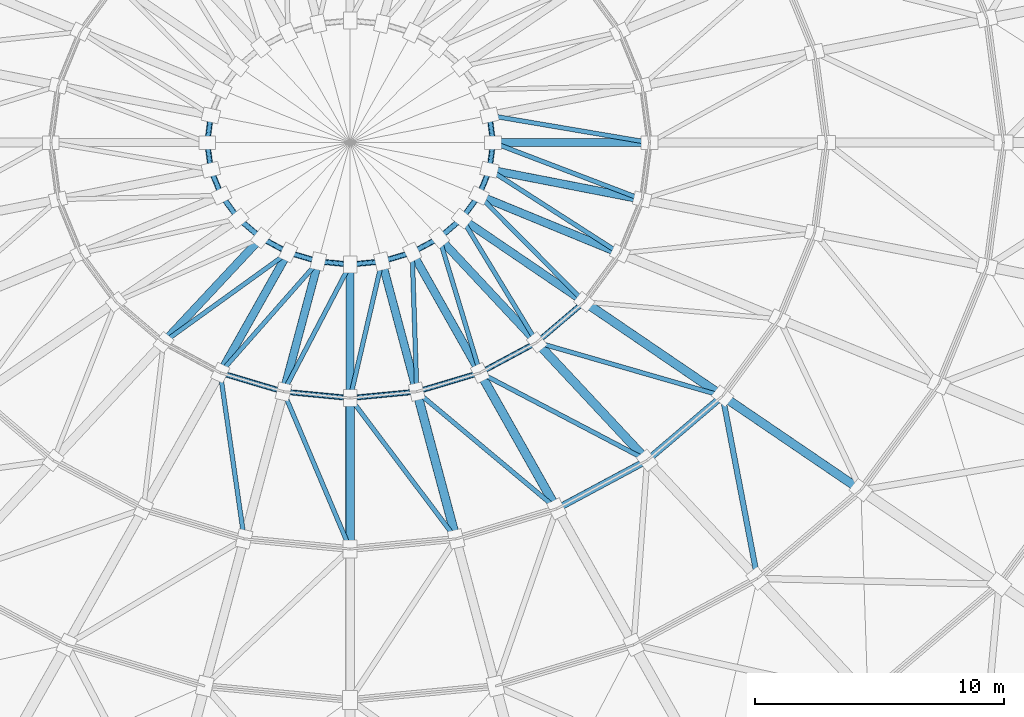
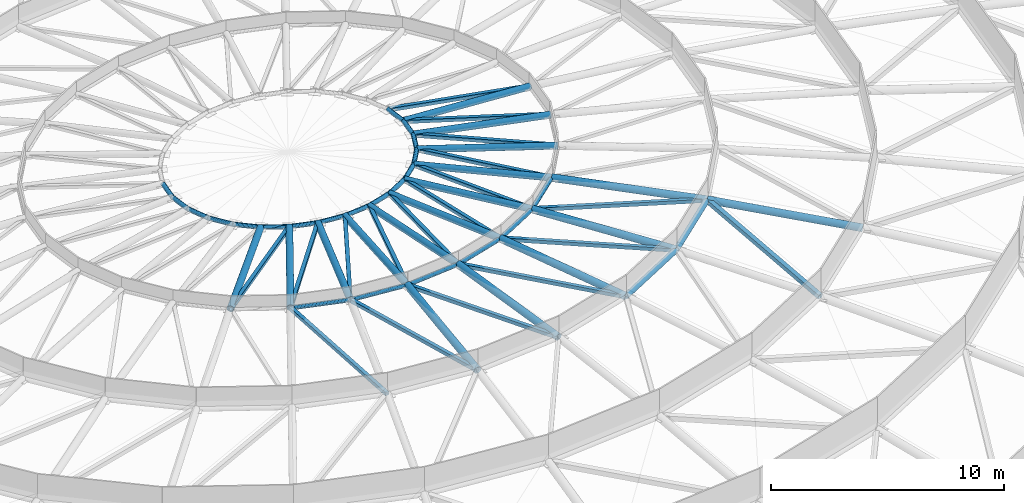
# One storey, part 10 of 27: 59 members.
"""IFC4 building model written with IfcOpenShell, lengths in metres."""

from ifc_helpers import new_model, si_unit, direction, frame, origin, origin_2d, place, context, subcontext, project, spatial, hollow_rectangle, hollow_circle, extrude, material, material_profile, profile_set, type_object, element, save


model = new_model("IFC4")

# Units and contexts
model_context = context("Model", 3, precision=1e-05, world=origin(), true_north=direction((0.0, 1.0)))
body_context = subcontext(model_context, "Body", "Model", "MODEL_VIEW")
ifc_project = project(units=[si_unit("LENGTHUNIT", "METRE"), si_unit("AREAUNIT", "SQUARE_METRE"), si_unit("VOLUMEUNIT", "CUBIC_METRE"), si_unit("PLANEANGLEUNIT", "RADIAN"), si_unit("MASSUNIT", "GRAM", prefix="KILO")], contexts=[model_context])

# Site, building, storey
site_placement = place(None, origin())
site = spatial("IfcSite", under=ifc_project, at=site_placement, CompositionType="ELEMENT")
building_placement = place(site_placement, origin())
building = spatial("IfcBuilding", under=site, at=building_placement, Name="Cuetzalor Civic Arena", CompositionType="ELEMENT")
storey_placement = place(building_placement, frame((0.0, 0.0, 31.800048828125)))
storey = spatial("IfcBuildingStorey", under=building, at=storey_placement, Name="Roof", CompositionType="ELEMENT", Elevation=31.800048828125)

# Members
ifc_material_1 = material(Name="Steel S355J2H", Category="steel")
ifc_material_profile_1 = material_profile(ifc_material_1, hollow_circle(Radius=0.136474609375, WallThickness=0.010009765625, at=origin_2d()), Name="CHS 273x10")
ifc_profile_set_1 = profile_set([ifc_material_profile_1], Name="Steel S355J2H")
member_type_1 = type_object("IfcMemberType", Name="DomeAnnularChord_CHS273", PredefinedType="CHORD", material=ifc_profile_set_1)
member_1_placement = place(storey_placement, frame((8.28564453125, -14.677978515625, 8.21044921875), z_axis=(0.881319827537, 0.472520223472, 0.0), x_axis=(-0.472520223472, 0.881319827537, 0.0)))
element("IfcMember", 1, at=member_1_placement, inside=storey, type_object=member_type_1, Name="Dome Roof Truss Annular Ring Chord R5-S24", PredefinedType="CHORD", context=body_context, shape_type="SweptSolid", body=[
    extrude(hollow_circle(Radius=0.136474609375, WallThickness=0.010009765625, at=origin_2d()), origin(), (0.0, 0.0, 1.0), 4.103515625),
])
member_2_placement = place(storey_placement, frame((11.905517578125, -12.73681640625, 8.21044921875), z_axis=(0.760648184235, 0.649164339609, 0.0), x_axis=(-0.649164339609, 0.760648184235, 0.0)))
element("IfcMember", 2, at=member_2_placement, inside=storey, type_object=member_type_1, Name="Dome Roof Truss Annular Ring Chord R5-S25", PredefinedType="CHORD", context=body_context, shape_type="SweptSolid", body=[
    extrude(hollow_circle(Radius=0.136474609375, WallThickness=0.010009765625, at=origin_2d()), origin(), (0.0, 0.0, 1.0), 3.97021484375),
])
ifc_material_2 = material(Name="Steel S355J2H", Category="steel")
ifc_material_profile_2 = material_profile(ifc_material_2, hollow_circle(Radius=0.161865234375, WallThickness=0.012451171875, at=origin_2d()), Name="CHS 323.9x12.5")
ifc_profile_set_2 = profile_set([ifc_material_profile_2], Name="Steel S355J2H")
member_type_2 = type_object("IfcMemberType", Name="DomeAnnularChord_CHS323", PredefinedType="CHORD", material=ifc_profile_set_2)
member_3_placement = place(storey_placement, frame((11.9990234375, 0.0, 9.02099609375), z_axis=(-0.998178582881, 0.0, 0.060328406894), x_axis=(0.0, -1.0, 0.0)))
element("IfcMember", 3, at=member_3_placement, inside=storey, type_object=member_type_2, Name="Dome Roof Truss Radial Chord R7-S01", PredefinedType="CHORD", context=body_context, shape_type="SweptSolid", body=[
    extrude(hollow_circle(Radius=0.161865234375, WallThickness=0.012451171875, at=origin_2d()), origin(), (0.0, 0.0, 1.0), 6.28076171875),
])
member_4_placement = place(storey_placement, frame((-7.481201171875, -8.005126953125, 9.02099609375), z_axis=(0.681328597073, 0.728991809361, 0.06604759417), x_axis=(-0.730587065389, 0.682819551482, 0.0)))
element("IfcMember", 4, at=member_4_placement, inside=storey, type_object=member_type_2, Name="Dome Roof Truss Radial Chord R7-S19", PredefinedType="CHORD", context=body_context, shape_type="SweptSolid", body=[
    extrude(hollow_circle(Radius=0.161865234375, WallThickness=0.012451171875, at=origin_2d()), origin(), (0.0, 0.0, 1.0), 5.73681640625),
])
member_5_placement = place(storey_placement, frame((-5.2060546875, -9.22509765625, 9.02099609375), z_axis=(0.490342266255, 0.868848997231, 0.068307261218), x_axis=(-0.870883091558, 0.49149022456, 0.0)))
element("IfcMember", 5, at=member_5_placement, inside=storey, type_object=member_type_2, Name="Dome Roof Truss Radial Chord R7-S20", PredefinedType="CHORD", context=body_context, shape_type="SweptSolid", body=[
    extrude(hollow_circle(Radius=0.161865234375, WallThickness=0.012451171875, at=origin_2d()), origin(), (0.0, 0.0, 1.0), 5.547119140625),
])
member_6_placement = place(storey_placement, frame((-2.669921875, -9.982421875, 9.02099609375), z_axis=(0.257765929153, 0.963667444623, 0.070012726994), x_axis=(-0.966038007015, 0.258400017418, 0.0)))
element("IfcMember", 6, at=member_6_placement, inside=storey, type_object=member_type_2, Name="Dome Roof Truss Radial Chord R7-S21", PredefinedType="CHORD", context=body_context, shape_type="SweptSolid", body=[
    extrude(hollow_circle(Radius=0.161865234375, WallThickness=0.012451171875, at=origin_2d()), origin(), (0.0, 0.0, 1.0), 5.411865234375),
])
member_7_placement = place(storey_placement, frame((0.0, -10.239013671875, 9.02099609375), z_axis=(0.0, 0.997500813947, 0.070654979839), x_axis=(-1.0, 0.0, 0.0)))
element("IfcMember", 7, at=member_7_placement, inside=storey, type_object=member_type_2, Name="Dome Roof Truss Radial Chord R7-S22", PredefinedType="CHORD", context=body_context, shape_type="SweptSolid", body=[
    extrude(hollow_circle(Radius=0.161865234375, WallThickness=0.012451171875, at=origin_2d()), origin(), (0.0, 0.0, 1.0), 5.36279296875),
])
member_8_placement = place(storey_placement, frame((2.669921875, -9.982421875, 9.02099609375), z_axis=(-0.257765929153, 0.963667444623, 0.070012726994), x_axis=(-0.966038007015, -0.258400017418, 0.0)))
element("IfcMember", 8, at=member_8_placement, inside=storey, type_object=member_type_2, Name="Dome Roof Truss Radial Chord R7-S23", PredefinedType="CHORD", context=body_context, shape_type="SweptSolid", body=[
    extrude(hollow_circle(Radius=0.161865234375, WallThickness=0.012451171875, at=origin_2d()), origin(), (0.0, 0.0, 1.0), 5.411865234375),
])
member_9_placement = place(storey_placement, frame((5.2060546875, -9.22509765625, 9.02099609375), z_axis=(-0.490342266255, 0.868848997231, 0.068307261218), x_axis=(-0.870883091558, -0.49149022456, 0.0)))
element("IfcMember", 9, at=member_9_placement, inside=storey, type_object=member_type_2, Name="Dome Roof Truss Radial Chord R7-S24", PredefinedType="CHORD", context=body_context, shape_type="SweptSolid", body=[
    extrude(hollow_circle(Radius=0.161865234375, WallThickness=0.012451171875, at=origin_2d()), origin(), (0.0, 0.0, 1.0), 5.547119140625),
])
member_10_placement = place(storey_placement, frame((7.481201171875, -8.005126953125, 9.02099609375), z_axis=(-0.681328597073, 0.728991809361, 0.06604759417), x_axis=(-0.730587065389, -0.682819551482, 0.0)))
element("IfcMember", 10, at=member_10_placement, inside=storey, type_object=member_type_2, Name="Dome Roof Truss Radial Chord R7-S25", PredefinedType="CHORD", context=body_context, shape_type="SweptSolid", body=[
    extrude(hollow_circle(Radius=0.161865234375, WallThickness=0.012451171875, at=origin_2d()), origin(), (0.0, 0.0, 1.0), 5.73681640625),
])
member_11_placement = place(storey_placement, frame((9.381103515625, -6.384033203125, 9.02099609375), z_axis=(-0.825045545792, 0.561455083015, 0.063781165923), x_axis=(-0.562600589235, -0.826728841273, 0.0)))
element("IfcMember", 11, at=member_11_placement, inside=storey, type_object=member_type_2, Name="Dome Roof Truss Radial Chord R7-S26", PredefinedType="CHORD", context=body_context, shape_type="SweptSolid", body=[
    extrude(hollow_circle(Radius=0.161865234375, WallThickness=0.012451171875, at=origin_2d()), origin(), (0.0, 0.0, 1.0), 5.940673828125),
])
member_12_placement = place(storey_placement, frame((10.810791015625, -4.442626953125, 9.02099609375), z_axis=(-0.923178215261, 0.379350591826, 0.061928275851), x_axis=(-0.380080116735, -0.924953569031, 0.0)))
element("IfcMember", 12, at=member_12_placement, inside=storey, type_object=member_type_2, Name="Dome Roof Truss Radial Chord R7-S27", PredefinedType="CHORD", context=body_context, shape_type="SweptSolid", body=[
    extrude(hollow_circle(Radius=0.161865234375, WallThickness=0.012451171875, at=origin_2d()), origin(), (0.0, 0.0, 1.0), 6.118408203125),
])
member_13_placement = place(storey_placement, frame((11.697998046875, -2.2783203125, 9.02099609375), z_axis=(-0.979742221128, 0.190829394832, 0.060739790972), x_axis=(-0.191182387422, -0.981554529682, 0.0)))
element("IfcMember", 13, at=member_13_placement, inside=storey, type_object=member_type_2, Name="Dome Roof Truss Radial Chord R7-S28", PredefinedType="CHORD", context=body_context, shape_type="SweptSolid", body=[
    extrude(hollow_circle(Radius=0.161865234375, WallThickness=0.012451171875, at=origin_2d()), origin(), (0.0, 0.0, 1.0), 6.23828125),
])
ifc_material_3 = material(Name="Steel S355J2H", Category="steel")
ifc_material_profile_3 = material_profile(ifc_material_3, hollow_rectangle(XDim=0.179931640625, YDim=0.179931640625, WallThickness=0.010009765625, at=origin_2d()), Name="RHS 180x180x10")
ifc_profile_set_3 = profile_set([ifc_material_profile_3], Name="Steel S355J2H")
member_type_3 = type_object("IfcMemberType", Name="DomeLamellaStrut_RHS180", PredefinedType="STRUT", material=ifc_profile_set_3)
member_14_placement = place(storey_placement, frame((-4.248779296875, -15.882080078125, 8.21044921875), z_axis=(-0.141495235587, 0.982677920543, 0.119679583821), x_axis=(-0.989791982093, -0.142519585268, 0.0)))
element("IfcMember", 14, at=member_14_placement, inside=storey, type_object=member_type_3, Name="Dome Roof Truss Lamella Strut R6-S21", PredefinedType="STRUT", context=body_context, shape_type="SweptSolid", body=[
    extrude(hollow_rectangle(XDim=0.179931640625, YDim=0.179931640625, WallThickness=0.010009765625, at=origin_2d()), origin(), (0.0, 0.0, 1.0), 6.7705078125),
])
member_15_placement = place(storey_placement, frame((-0.000732421875, -16.290771484375, 8.21044921875), z_axis=(-0.387133355723, 0.914501626252, 0.117535273294), x_axis=(-0.920884545601, -0.3898354187, 0.0)))
element("IfcMember", 15, at=member_15_placement, inside=storey, type_object=member_type_3, Name="Dome Roof Truss Lamella Strut R6-S22", PredefinedType="STRUT", context=body_context, shape_type="SweptSolid", body=[
    extrude(hollow_rectangle(XDim=0.179931640625, YDim=0.179931640625, WallThickness=0.010009765625, at=origin_2d()), origin(), (0.0, 0.0, 1.0), 6.89404296875),
])
member_16_placement = place(storey_placement, frame((4.247314453125, -15.88232421875, 8.21044921875), z_axis=(-0.59755829928, 0.793675064016, 0.114034958332), x_axis=(-0.798886409643, -0.601481923658, 0.0)))
element("IfcMember", 16, at=member_16_placement, inside=storey, type_object=member_type_3, Name="Dome Roof Truss Lamella Strut R6-S23", PredefinedType="STRUT", context=body_context, shape_type="SweptSolid", body=[
    extrude(hollow_rectangle(XDim=0.179931640625, YDim=0.179931640625, WallThickness=0.010009765625, at=origin_2d()), origin(), (0.0, 0.0, 1.0), 7.105712890625),
])
member_17_placement = place(storey_placement, frame((8.282470703125, -14.677734375, 8.21044921875), z_axis=(-0.76242241528, 0.637641270638, 0.11011662299), x_axis=(-0.64154270133, -0.767087323823, 0.0)))
element("IfcMember", 17, at=member_17_placement, inside=storey, type_object=member_type_3, Name="Dome Roof Truss Lamella Strut R6-S24", PredefinedType="STRUT", context=body_context, shape_type="SweptSolid", body=[
    extrude(hollow_rectangle(XDim=0.179931640625, YDim=0.179931640625, WallThickness=0.010009765625, at=origin_2d()), origin(), (0.0, 0.0, 1.0), 7.358642578125),
])
member_18_placement = place(storey_placement, frame((11.902099609375, -12.737060546875, 8.21044921875), z_axis=(-0.880608544013, 0.461696352919, 0.106607081908), x_axis=(-0.464342535607, -0.88565569474, 0.0)))
element("IfcMember", 18, at=member_18_placement, inside=storey, type_object=member_type_3, Name="Dome Roof Truss Lamella Strut R6-S25", PredefinedType="STRUT", context=body_context, shape_type="SweptSolid", body=[
    extrude(hollow_rectangle(XDim=0.179931640625, YDim=0.179931640625, WallThickness=0.010009765625, at=origin_2d()), origin(), (0.0, 0.0, 1.0), 7.600830078125),
])
member_19_placement = place(storey_placement, frame((14.92529296875, -10.15771484375, 8.21044921875), z_axis=(-0.955472441821, 0.276127084046, 0.104049249767), x_axis=(-0.277634041083, -0.960686910097, 0.0)))
element("IfcMember", 19, at=member_19_placement, inside=storey, type_object=member_type_3, Name="Dome Roof Truss Lamella Strut R6-S26", PredefinedType="STRUT", context=body_context, shape_type="SweptSolid", body=[
    extrude(hollow_rectangle(XDim=0.179931640625, YDim=0.179931640625, WallThickness=0.010009765625, at=origin_2d()), origin(), (0.0, 0.0, 1.0), 7.78759765625),
])
member_20_placement = place(storey_placement, frame((11.9990234375, 0.000244140625, 9.02099609375), z_axis=(-0.984263912241, 0.166860593186, 0.058155769285), x_axis=(-0.167143480015, -0.985932582426, 0.0)))
element("IfcMember", 20, at=member_20_placement, inside=storey, type_object=member_type_3, Name="Dome Roof Truss Lamella Strut R7-S01", PredefinedType="STRUT", context=body_context, shape_type="SweptSolid", body=[
    extrude(hollow_rectangle(XDim=0.179931640625, YDim=0.179931640625, WallThickness=0.010009765625, at=origin_2d()), origin(), (0.0, 0.0, 1.0), 6.515380859375),
])
member_21_placement = place(storey_placement, frame((-7.48095703125, -8.005615234375, 9.02099609375), z_axis=(0.809613608428, 0.583740277215, 0.061425514288), x_axis=(-0.584844656807, 0.811145318303, 0.0)))
element("IfcMember", 21, at=member_21_placement, inside=storey, type_object=member_type_3, Name="Dome Roof Truss Lamella Strut R7-S19", PredefinedType="STRUT", context=body_context, shape_type="SweptSolid", body=[
    extrude(hollow_rectangle(XDim=0.179931640625, YDim=0.179931640625, WallThickness=0.010009765625, at=origin_2d()), origin(), (0.0, 0.0, 1.0), 6.16845703125),
])
member_22_placement = place(storey_placement, frame((-5.205810546875, -9.225341796875, 9.02099609375), z_axis=(0.659879789367, 0.748672708778, 0.06362262739), x_axis=(-0.750192577664, 0.66121940112, 0.0)))
element("IfcMember", 22, at=member_22_placement, inside=storey, type_object=member_type_3, Name="Dome Roof Truss Lamella Strut R7-S20", PredefinedType="STRUT", context=body_context, shape_type="SweptSolid", body=[
    extrude(hollow_rectangle(XDim=0.179931640625, YDim=0.179931640625, WallThickness=0.010009765625, at=origin_2d()), origin(), (0.0, 0.0, 1.0), 5.95556640625),
])
member_23_placement = place(storey_placement, frame((-2.669677734375, -9.982421875, 9.02099609375), z_axis=(0.463129413067, 0.883848018112, 0.065755818231), x_axis=(-0.885765040253, 0.464133917598, 0.0)))
element("IfcMember", 23, at=member_23_placement, inside=storey, type_object=member_type_3, Name="Dome Roof Truss Lamella Strut R7-S21", PredefinedType="STRUT", context=body_context, shape_type="SweptSolid", body=[
    extrude(hollow_rectangle(XDim=0.179931640625, YDim=0.179931640625, WallThickness=0.010009765625, at=origin_2d()), origin(), (0.0, 0.0, 1.0), 5.76220703125),
])
member_24_placement = place(storey_placement, frame((0.00048828125, -10.239013671875, 9.02099609375), z_axis=(0.226151222342, 0.971765212105, 0.067290394378), x_axis=(-0.973972786928, 0.226664973748, 0.0)))
element("IfcMember", 24, at=member_24_placement, inside=storey, type_object=member_type_3, Name="Dome Roof Truss Lamella Strut R7-S22", PredefinedType="STRUT", context=body_context, shape_type="SweptSolid", body=[
    extrude(hollow_rectangle(XDim=0.179931640625, YDim=0.179931640625, WallThickness=0.010009765625, at=origin_2d()), origin(), (0.0, 0.0, 1.0), 5.630859375),
])
member_25_placement = place(storey_placement, frame((2.67041015625, -9.982177734375, 9.02099609375), z_axis=(-0.033091460055, 0.997153085912, 0.067754546182), x_axis=(-0.999449801185, -0.033167678705, 0.0)))
element("IfcMember", 25, at=member_25_placement, inside=storey, type_object=member_type_3, Name="Dome Roof Truss Lamella Strut R7-S23", PredefinedType="STRUT", context=body_context, shape_type="SweptSolid", body=[
    extrude(hollow_rectangle(XDim=0.179931640625, YDim=0.179931640625, WallThickness=0.010009765625, at=origin_2d()), origin(), (0.0, 0.0, 1.0), 5.59228515625),
])
member_26_placement = place(storey_placement, frame((5.206298828125, -9.224853515625, 9.02099609375), z_axis=(-0.288978561756, 0.954988899008, 0.066989503786), x_axis=(-0.957138939144, -0.289629161472, 0.0)))
element("IfcMember", 26, at=member_26_placement, inside=storey, type_object=member_type_3, Name="Dome Roof Truss Lamella Strut R7-S24", PredefinedType="STRUT", context=body_context, shape_type="SweptSolid", body=[
    extrude(hollow_rectangle(XDim=0.179931640625, YDim=0.179931640625, WallThickness=0.010009765625, at=origin_2d()), origin(), (0.0, 0.0, 1.0), 5.65625),
])
member_27_placement = place(storey_placement, frame((7.4814453125, -8.0048828125, 9.02099609375), z_axis=(-0.517079597539, 0.853446224658, 0.065255125661), x_axis=(-0.855269134274, -0.518184048345, 0.0)))
element("IfcMember", 27, at=member_27_placement, inside=storey, type_object=member_type_3, Name="Dome Roof Truss Lamella Strut R7-S25", PredefinedType="STRUT", context=body_context, shape_type="SweptSolid", body=[
    extrude(hollow_rectangle(XDim=0.179931640625, YDim=0.179931640625, WallThickness=0.010009765625, at=origin_2d()), origin(), (0.0, 0.0, 1.0), 5.806640625),
])
member_28_placement = place(storey_placement, frame((9.38134765625, -6.3837890625, 9.02099609375), z_axis=(-0.702176593417, 0.709205266139, 0.063054913671), x_axis=(-0.710619356734, -0.703576669479, 0.0)))
element("IfcMember", 28, at=member_28_placement, inside=storey, type_object=member_type_3, Name="Dome Roof Truss Lamella Strut R7-S26", PredefinedType="STRUT", context=body_context, shape_type="SweptSolid", body=[
    extrude(hollow_rectangle(XDim=0.179931640625, YDim=0.179931640625, WallThickness=0.010009765625, at=origin_2d()), origin(), (0.0, 0.0, 1.0), 6.009033203125),
])
member_29_placement = place(storey_placement, frame((10.810791015625, -4.4423828125, 9.02099609375), z_axis=(-0.839998786918, 0.539158178483, 0.060913845309), x_axis=(-0.540161243029, -0.841561543518, 0.0)))
element("IfcMember", 29, at=member_29_placement, inside=storey, type_object=member_type_3, Name="Dome Roof Truss Lamella Strut R7-S27", PredefinedType="STRUT", context=body_context, shape_type="SweptSolid", body=[
    extrude(hollow_rectangle(XDim=0.179931640625, YDim=0.179931640625, WallThickness=0.010009765625, at=origin_2d()), origin(), (0.0, 0.0, 1.0), 6.220458984375),
])
member_30_placement = place(storey_placement, frame((11.6982421875, -2.278076171875, 9.02099609375), z_axis=(-0.932664538454, 0.355853027434, 0.05920710748), x_axis=(-0.356478390179, -0.934303568085, 0.0)))
element("IfcMember", 30, at=member_30_placement, inside=storey, type_object=member_type_3, Name="Dome Roof Truss Lamella Strut R7-S28", PredefinedType="STRUT", context=body_context, shape_type="SweptSolid", body=[
    extrude(hollow_rectangle(XDim=0.179931640625, YDim=0.179931640625, WallThickness=0.010009765625, at=origin_2d()), origin(), (0.0, 0.0, 1.0), 6.399658203125),
])
ifc_material_4 = material(Name="Steel S355J2H", Category="steel")
ifc_material_profile_4 = material_profile(ifc_material_4, hollow_rectangle(XDim=0.219970703125, YDim=0.219970703125, WallThickness=0.010009765625, at=origin_2d()), Name="RHS 220x220x10")
ifc_profile_set_4 = profile_set([ifc_material_profile_4], Name="Steel S355J2H")
member_type_4 = type_object("IfcMemberType", Name="DomeLamellaStrut_RHS220", PredefinedType="STRUT", material=ifc_profile_set_4)
member_31_placement = place(storey_placement, frame((16.3251953125, -17.46728515625, 7.07763671875), z_axis=(-0.185734576079, 0.971010630926, 0.150469338665), x_axis=(-0.982193218693, -0.187873577582, 0.0)))
element("IfcMember", 31, at=member_31_placement, inside=storey, type_object=member_type_4, Name="Dome Roof Truss Lamella Strut R5-S25", PredefinedType="STRUT", context=body_context, shape_type="SweptSolid", body=[
    extrude(hollow_rectangle(XDim=0.219970703125, YDim=0.219970703125, WallThickness=0.010009765625, at=origin_2d()), origin(), (0.0, 0.0, 1.0), 7.525390625),
])
ifc_material_5 = material(Name="Steel S355J2H", Category="steel")
ifc_material_profile_5 = material_profile(ifc_material_5, hollow_circle(Radius=0.109619140625, WallThickness=0.010009765625, at=origin_2d()), Name="CHS 219.1x10")
ifc_profile_set_5 = profile_set([ifc_material_profile_5], Name="Steel S355J2H")
member_type_5 = type_object("IfcMemberType", Name="DomeLanternRing_CHS219", PredefinedType="CHORD", material=ifc_profile_set_5)
member_32_placement = place(storey_placement, frame((-5.205078125, -9.227294921875, 9.020751953125), z_axis=(0.958186512541, -0.286144381709, 0.0), x_axis=(0.286144381709, 0.958186512541, 0.0)))
element("IfcMember", 32, at=member_32_placement, inside=storey, type_object=member_type_5, Name="Dome Roof Truss Annular Ring Chord R6-S20", PredefinedType="CHORD", context=body_context, shape_type="SweptSolid", body=[
    extrude(hollow_circle(Radius=0.109619140625, WallThickness=0.010009765625, at=origin_2d()), origin(), (0.0, 0.0, 1.0), 2.643310546875),
])
for number, where, z_axis, x_axis, name in (
    (33, (-2.66845703125, -9.984375, 9.020751953125), (0.995410698757, -0.095695040624, 0.0), (0.095695040624, 0.995410698757, 0.0), "Dome Roof Truss Annular Ring Chord R6-S21"),
    (34, (0.001953125, -10.24072265625, 9.020751953125), (0.995410698757, 0.095695040624, 0.0), (-0.095695040624, 0.995410698757, 0.0), "Dome Roof Truss Annular Ring Chord R6-S22"),
):
    element("IfcMember", number, at=place(storey_placement, frame(where, z_axis=z_axis, x_axis=x_axis)), inside=storey, type_object=member_type_5, Name=name, PredefinedType="CHORD", context=body_context, shape_type="SweptSolid", body=[
        extrude(hollow_circle(Radius=0.109619140625, WallThickness=0.010009765625, at=origin_2d()), origin(), (0.0, 0.0, 1.0), 2.6787109375),
    ])
member_33_placement = place(storey_placement, frame((2.67236328125, -9.983642578125, 9.020751953125), z_axis=(0.958186512541, 0.286144381709, 0.0), x_axis=(-0.286144381709, 0.958186512541, 0.0)))
element("IfcMember", 35, at=member_33_placement, inside=storey, type_object=member_type_5, Name="Dome Roof Truss Annular Ring Chord R6-S23", PredefinedType="CHORD", context=body_context, shape_type="SweptSolid", body=[
    extrude(hollow_circle(Radius=0.109619140625, WallThickness=0.010009765625, at=origin_2d()), origin(), (0.0, 0.0, 1.0), 2.643310546875),
])
member_34_placement = place(storey_placement, frame((5.208740234375, -9.225830078125, 9.020751953125), z_axis=(0.881296882104, 0.472563017591, 0.0), x_axis=(-0.472563017591, 0.881296882104, 0.0)))
element("IfcMember", 36, at=member_34_placement, inside=storey, type_object=member_type_5, Name="Dome Roof Truss Annular Ring Chord R6-S24", PredefinedType="CHORD", context=body_context, shape_type="SweptSolid", body=[
    extrude(hollow_circle(Radius=0.109619140625, WallThickness=0.010009765625, at=origin_2d()), origin(), (0.0, 0.0, 1.0), 2.577880859375),
])
member_35_placement = place(storey_placement, frame((7.48388671875, -8.00537109375, 9.020751953125), z_axis=(0.760740130063, 0.649056588066, 0.0), x_axis=(-0.649056588066, 0.760740130063, 0.0)))
element("IfcMember", 37, at=member_35_placement, inside=storey, type_object=member_type_5, Name="Dome Roof Truss Annular Ring Chord R6-S25", PredefinedType="CHORD", context=body_context, shape_type="SweptSolid", body=[
    extrude(hollow_circle(Radius=0.109619140625, WallThickness=0.010009765625, at=origin_2d()), origin(), (0.0, 0.0, 1.0), 2.494140625),
])
for number, where, z_axis, x_axis, name in (
    (38, (5.727294921875, 0.001953125, 9.39990234375), (-0.130656721304, 0.991427668152, 0.0), (-0.991427668152, -0.130656721304, 0.0), "Dome Roof Truss Annular Ring Chord R7-S01"),
    (39, (-5.58447265625, 1.085693359375, 9.39990234375), (-0.130656721304, -0.991427668152, 0.0), (0.991427668152, -0.130656721304, 0.0), "Dome Roof Truss Annular Ring Chord R7-S14"),
    (40, (-5.727294921875, -0.001953125, 9.39990234375), (0.130656721304, -0.991427668152, 0.0), (0.991427668152, 0.130656721304, 0.0), "Dome Roof Truss Annular Ring Chord R7-S15"),
):
    element("IfcMember", number, at=place(storey_placement, frame(where, z_axis=z_axis, x_axis=x_axis)), inside=storey, type_object=member_type_5, Name=name, PredefinedType="CHORD", context=body_context, shape_type="SweptSolid", body=[
        extrude(hollow_circle(Radius=0.109619140625, WallThickness=0.010009765625, at=origin_2d()), origin(), (0.0, 0.0, 1.0), 1.093017578125),
    ])
member_36_placement = place(storey_placement, frame((-5.583251953125, -1.089599609375, 9.39990234375), z_axis=(0.379248061266, -0.925295038367, 0.0), x_axis=(0.925295038367, 0.379248061266, 0.0)))
element("IfcMember", 41, at=member_36_placement, inside=storey, type_object=member_type_5, Name="Dome Roof Truss Annular Ring Chord R7-S16", PredefinedType="CHORD", context=body_context, shape_type="SweptSolid", body=[
    extrude(hollow_circle(Radius=0.109619140625, WallThickness=0.010009765625, at=origin_2d()), origin(), (0.0, 0.0, 1.0), 1.1123046875),
])
member_37_placement = place(storey_placement, frame((-5.1591796875, -2.122314453125, 9.39990234375), z_axis=(0.592857696346, -0.805307240675, 0.0), x_axis=(0.805307240675, 0.592857696346, 0.0)))
element("IfcMember", 42, at=member_37_placement, inside=storey, type_object=member_type_5, Name="Dome Roof Truss Annular Ring Chord R7-S17", PredefinedType="CHORD", context=body_context, shape_type="SweptSolid", body=[
    extrude(hollow_circle(Radius=0.109619140625, WallThickness=0.010009765625, at=origin_2d()), origin(), (0.0, 0.0, 1.0), 1.14697265625),
])
member_38_placement = place(storey_placement, frame((-4.4765625, -3.048828125, 9.39990234375), z_axis=(0.760690703799, -0.649114514668, 0.0), x_axis=(0.649114514668, 0.760690703799, 0.0)))
element("IfcMember", 43, at=member_38_placement, inside=storey, type_object=member_type_5, Name="Dome Roof Truss Annular Ring Chord R7-S18", PredefinedType="CHORD", context=body_context, shape_type="SweptSolid", body=[
    extrude(hollow_circle(Radius=0.109619140625, WallThickness=0.010009765625, at=origin_2d()), origin(), (0.0, 0.0, 1.0), 1.188232421875),
])
member_39_placement = place(storey_placement, frame((-3.5693359375, -3.822265625, 9.39990234375), z_axis=(0.881216821558, -0.472712294533, 0.0), x_axis=(0.472712294533, 0.881216821558, 0.0)))
element("IfcMember", 44, at=member_39_placement, inside=storey, type_object=member_type_5, Name="Dome Roof Truss Annular Ring Chord R7-S19", PredefinedType="CHORD", context=body_context, shape_type="SweptSolid", body=[
    extrude(hollow_circle(Radius=0.109619140625, WallThickness=0.010009765625, at=origin_2d()), origin(), (0.0, 0.0, 1.0), 1.228271484375),
])
member_40_placement = place(storey_placement, frame((-2.4833984375, -4.404296875, 9.39990234375), z_axis=(0.958209498651, -0.286067398869, 0.0), x_axis=(0.286067398869, 0.958209498651, 0.0)))
element("IfcMember", 45, at=member_40_placement, inside=storey, type_object=member_type_5, Name="Dome Roof Truss Annular Ring Chord R7-S20", PredefinedType="CHORD", context=body_context, shape_type="SweptSolid", body=[
    extrude(hollow_circle(Radius=0.109619140625, WallThickness=0.010009765625, at=origin_2d()), origin(), (0.0, 0.0, 1.0), 1.259765625),
])
for number, where, z_axis, x_axis, name in (
    (46, (-1.2724609375, -4.765380859375, 9.39990234375), (0.995416035556, -0.095639511487, 0.0), (0.095639511487, 0.995416035556, 0.0), "Dome Roof Truss Annular Ring Chord R7-S21"),
    (47, (0.001953125, -4.887451171875, 9.39990234375), (0.995416035556, 0.095639511487, 0.0), (-0.095639511487, 0.995416035556, 0.0), "Dome Roof Truss Annular Ring Chord R7-S22"),
):
    element("IfcMember", number, at=place(storey_placement, frame(where, z_axis=z_axis, x_axis=x_axis)), inside=storey, type_object=member_type_5, Name=name, PredefinedType="CHORD", context=body_context, shape_type="SweptSolid", body=[
        extrude(hollow_circle(Radius=0.109619140625, WallThickness=0.010009765625, at=origin_2d()), origin(), (0.0, 0.0, 1.0), 1.2763671875),
    ])
member_41_placement = place(storey_placement, frame((1.2763671875, -4.7646484375, 9.39990234375), z_axis=(0.958209498651, 0.286067398869, 0.0), x_axis=(-0.286067398869, 0.958209498651, 0.0)))
element("IfcMember", 48, at=member_41_placement, inside=storey, type_object=member_type_5, Name="Dome Roof Truss Annular Ring Chord R7-S23", PredefinedType="CHORD", context=body_context, shape_type="SweptSolid", body=[
    extrude(hollow_circle(Radius=0.109619140625, WallThickness=0.010009765625, at=origin_2d()), origin(), (0.0, 0.0, 1.0), 1.259765625),
])
member_42_placement = place(storey_placement, frame((2.487060546875, -4.40283203125, 9.39990234375), z_axis=(0.881216821558, 0.472712294533, 0.0), x_axis=(-0.472712294533, 0.881216821558, 0.0)))
element("IfcMember", 49, at=member_42_placement, inside=storey, type_object=member_type_5, Name="Dome Roof Truss Annular Ring Chord R7-S24", PredefinedType="CHORD", context=body_context, shape_type="SweptSolid", body=[
    extrude(hollow_circle(Radius=0.109619140625, WallThickness=0.010009765625, at=origin_2d()), origin(), (0.0, 0.0, 1.0), 1.228271484375),
])
member_43_placement = place(storey_placement, frame((3.57275390625, -3.820068359375, 9.39990234375), z_axis=(0.760690703799, 0.649114514668, 0.0), x_axis=(-0.649114514668, 0.760690703799, 0.0)))
element("IfcMember", 50, at=member_43_placement, inside=storey, type_object=member_type_5, Name="Dome Roof Truss Annular Ring Chord R7-S25", PredefinedType="CHORD", context=body_context, shape_type="SweptSolid", body=[
    extrude(hollow_circle(Radius=0.109619140625, WallThickness=0.010009765625, at=origin_2d()), origin(), (0.0, 0.0, 1.0), 1.188232421875),
])
member_44_placement = place(storey_placement, frame((4.479248046875, -3.0458984375, 9.39990234375), z_axis=(0.592857696346, 0.805307240675, 0.0), x_axis=(-0.805307240675, 0.592857696346, 0.0)))
element("IfcMember", 51, at=member_44_placement, inside=storey, type_object=member_type_5, Name="Dome Roof Truss Annular Ring Chord R7-S26", PredefinedType="CHORD", context=body_context, shape_type="SweptSolid", body=[
    extrude(hollow_circle(Radius=0.109619140625, WallThickness=0.010009765625, at=origin_2d()), origin(), (0.0, 0.0, 1.0), 1.14697265625),
])
member_45_placement = place(storey_placement, frame((5.161376953125, -2.118896484375, 9.39990234375), z_axis=(0.379248061266, 0.925295038367, 0.0), x_axis=(-0.925295038367, 0.379248061266, 0.0)))
element("IfcMember", 52, at=member_45_placement, inside=storey, type_object=member_type_5, Name="Dome Roof Truss Annular Ring Chord R7-S27", PredefinedType="CHORD", context=body_context, shape_type="SweptSolid", body=[
    extrude(hollow_circle(Radius=0.109619140625, WallThickness=0.010009765625, at=origin_2d()), origin(), (0.0, 0.0, 1.0), 1.1123046875),
])
member_46_placement = place(storey_placement, frame((5.58447265625, -1.085693359375, 9.39990234375), z_axis=(0.130656721304, 0.991427668152, 0.0), x_axis=(-0.991427668152, 0.130656721304, 0.0)))
element("IfcMember", 53, at=member_46_placement, inside=storey, type_object=member_type_5, Name="Dome Roof Truss Annular Ring Chord R7-S28", PredefinedType="CHORD", context=body_context, shape_type="SweptSolid", body=[
    extrude(hollow_circle(Radius=0.109619140625, WallThickness=0.010009765625, at=origin_2d()), origin(), (0.0, 0.0, 1.0), 1.093017578125),
])
ifc_material_6 = material(Name="Steel S355J2H", Category="steel")
ifc_material_profile_6 = material_profile(ifc_material_6, hollow_circle(Radius=0.177734375, WallThickness=0.01416015625, at=origin_2d()), Name="CHS 355.6x14.2")
ifc_profile_set_6 = profile_set([ifc_material_profile_6], Name="Steel S355J2H")
member_type_6 = type_object("IfcMemberType", Name="DomeRadialChord_CHS355", PredefinedType="CHORD", material=ifc_profile_set_6)
member_47_placement = place(storey_placement, frame((20.469970703125, -13.93017578125, 7.07763671875), z_axis=(-0.815172115718, 0.554749460254, 0.166575682808), x_axis=(-0.562609867277, -0.826722527359, 0.0)))
element("IfcMember", 54, at=member_47_placement, inside=storey, type_object=member_type_6, Name="Dome Roof Truss Radial Chord R5-S26", PredefinedType="CHORD", context=body_context, shape_type="SweptSolid", body=[
    extrude(hollow_circle(Radius=0.177734375, WallThickness=0.01416015625, at=origin_2d()), origin(), (0.0, 0.0, 1.0), 6.797607421875),
])
member_48_placement = place(storey_placement, frame((0.0, -16.29052734375, 8.210693359375), z_axis=(0.0, 0.99115330947, 0.132721954201), x_axis=(-1.0, 0.0, 0.0)))
element("IfcMember", 55, at=member_48_placement, inside=storey, type_object=member_type_6, Name="Dome Roof Truss Radial Chord R6-S22", PredefinedType="CHORD", context=body_context, shape_type="SweptSolid", body=[
    extrude(hollow_circle(Radius=0.177734375, WallThickness=0.01416015625, at=origin_2d()), origin(), (0.0, 0.0, 1.0), 6.1015625),
])
member_49_placement = place(storey_placement, frame((4.248046875, -15.882080078125, 8.210693359375), z_axis=(-0.256164404752, 0.957642472873, 0.131532094514), x_axis=(-0.966035473474, -0.258409488971, 0.0)))
element("IfcMember", 56, at=member_49_placement, inside=storey, type_object=member_type_6, Name="Dome Roof Truss Radial Chord R6-S23", PredefinedType="CHORD", context=body_context, shape_type="SweptSolid", body=[
    extrude(hollow_circle(Radius=0.177734375, WallThickness=0.01416015625, at=origin_2d()), origin(), (0.0, 0.0, 1.0), 6.15673828125),
])
member_50_placement = place(storey_placement, frame((8.282958984375, -14.67724609375, 8.210693359375), z_axis=(-0.487413827031, 0.863684143841, 0.128364562466), x_axis=(-0.870888965852, -0.491479815615, 0.0)))
element("IfcMember", 57, at=member_50_placement, inside=storey, type_object=member_type_6, Name="Dome Roof Truss Radial Chord R6-S24", PredefinedType="CHORD", context=body_context, shape_type="SweptSolid", body=[
    extrude(hollow_circle(Radius=0.177734375, WallThickness=0.01416015625, at=origin_2d()), origin(), (0.0, 0.0, 1.0), 6.30859375),
])
member_51_placement = place(storey_placement, frame((11.902587890625, -12.736572265625, 8.21044921875), z_axis=(-0.677476129415, 0.724976942069, 0.124235773995), x_axis=(-0.730637390049, -0.682765702318, 0.0)))
element("IfcMember", 58, at=member_51_placement, inside=storey, type_object=member_type_6, Name="Dome Roof Truss Radial Chord R6-S25", PredefinedType="CHORD", context=body_context, shape_type="SweptSolid", body=[
    extrude(hollow_circle(Radius=0.177734375, WallThickness=0.01416015625, at=origin_2d()), origin(), (0.0, 0.0, 1.0), 6.522216796875),
])
member_52_placement = place(storey_placement, frame((14.925537109375, -10.156982421875, 8.21044921875), z_axis=(-0.820751474206, 0.558534830768, 0.120024415883), x_axis=(-0.562601913678, -0.826727939969, 0.0)))
element("IfcMember", 59, at=member_52_placement, inside=storey, type_object=member_type_6, Name="Dome Roof Truss Radial Chord R6-S26", PredefinedType="CHORD", context=body_context, shape_type="SweptSolid", body=[
    extrude(hollow_circle(Radius=0.177734375, WallThickness=0.01416015625, at=origin_2d()), origin(), (0.0, 0.0, 1.0), 6.751220703125),
])

save(model, "model.ifc")
